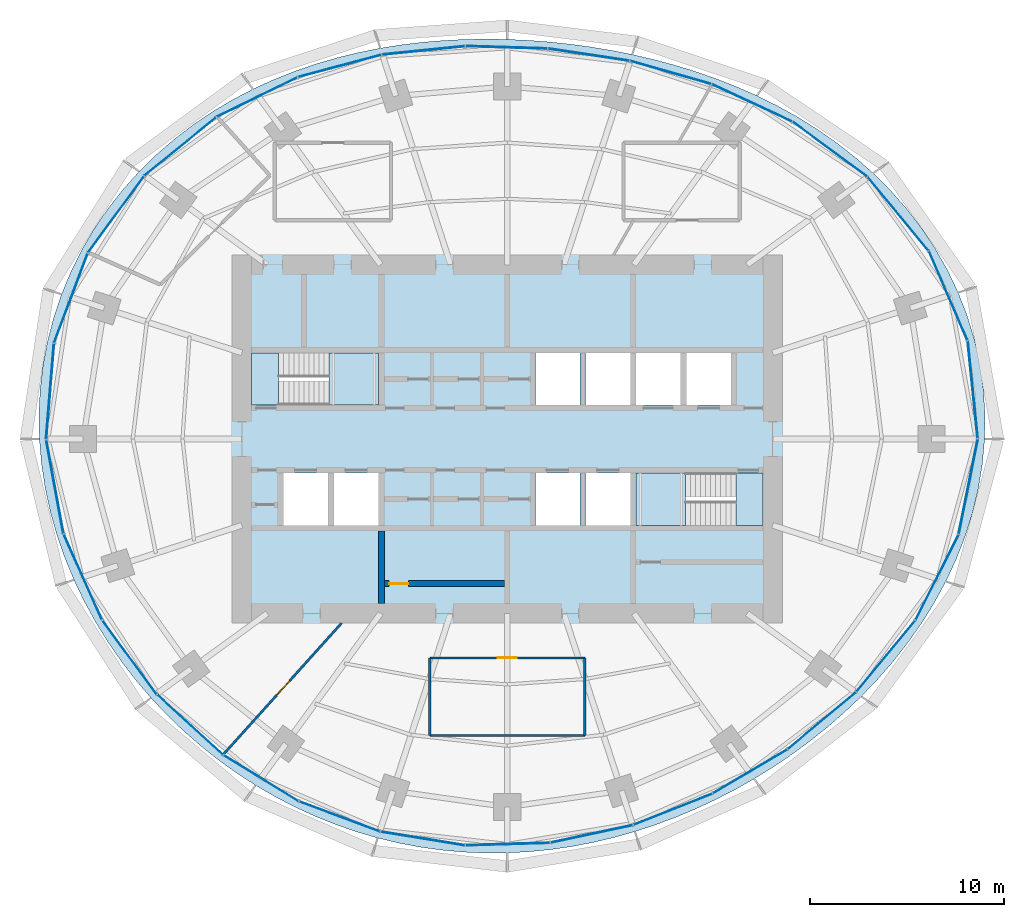
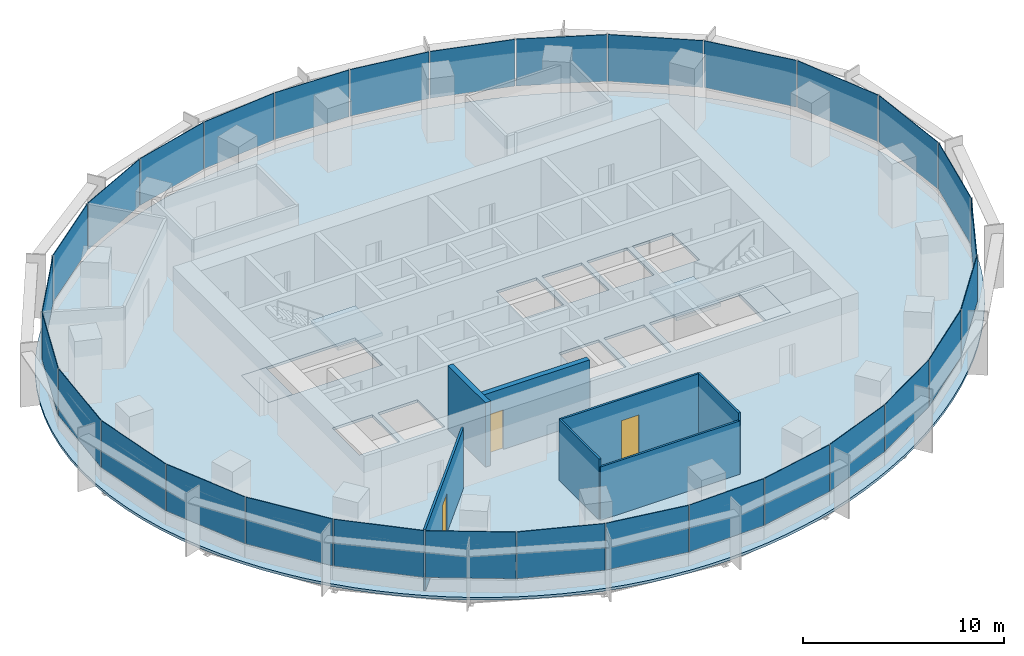
# One storey, part 9 of 14: 30 plates, 7 walls, 5 slabs, 3 doors, 3 openings, 8 elements without a shape of their own.
"""IFC4 building model written with IfcOpenShell, lengths in metres."""

from ifc_helpers import new_model, si_unit, direction, frame, frame_2d, origin, origin_2d, place, context, subcontext, project, spatial, polyline, rectangle, outline, extrude, material, layer, layer_set, type_object, element, fill, aggregate, save


model = new_model("IFC4")

# Units and contexts
model_context = context("Model", 3, precision=1e-05, world=origin(), true_north=direction((0.0, 1.0)))
body_context = subcontext(model_context, "Body", "Model", "MODEL_VIEW")
ifc_project = project(units=[si_unit("LENGTHUNIT", "METRE"), si_unit("AREAUNIT", "SQUARE_METRE"), si_unit("VOLUMEUNIT", "CUBIC_METRE"), si_unit("PLANEANGLEUNIT", "RADIAN"), si_unit("MASSUNIT", "GRAM", prefix="KILO")], contexts=[model_context])

# Site, building, storey
site_placement = place(None, origin())
site = spatial("IfcSite", under=ifc_project, at=site_placement, CompositionType="ELEMENT")
building_placement = place(site_placement, origin())
building = spatial("IfcBuilding", under=site, at=building_placement, Name="Marramba Exchange Tower", CompositionType="ELEMENT")
storey_placement = place(building_placement, frame((0.0, 0.0, 242.300048828125)))
storey = spatial("IfcBuildingStorey", under=building, at=storey_placement, Name="L59", CompositionType="ELEMENT", Elevation=242.300048828125)

# Slab
ifc_material_1 = material(Name="Concrete N40", Category="concrete")
ifc_layer_1 = layer(ifc_material_1, 0.159912109375)
ifc_layer_set_1 = layer_set([ifc_layer_1], Name="Composite floor slab 160")
slab_type_1 = type_object("IfcSlabType", Name="Composite floor slab 160", PredefinedType="FLOOR", material=ifc_layer_set_1)
slab_1_placement = place(storey_placement, frame((0.0, 0.0, -0.16015625)))
element("IfcSlab", 1, at=slab_1_placement, inside=storey, type_object=slab_type_1, Name="Floor slab L59", PredefinedType="FLOOR", context=body_context, shape_type="SweptSolid", body=[
    extrude(outline(polyline([(24.64404296875, 0.0), (24.661376953125, 1.29248046875), (24.580078125, 2.58349609375), (24.399658203125, 3.864501953125), (24.12109375, 5.127197265625), (23.7470703125, 6.363037109375), (23.281494140625, 7.564697265625), (22.72900390625, 8.724853515625), (22.095947265625, 9.837646484375), (21.388427734375, 10.89794921875), (20.614013671875, 11.901611328125), (19.780029296875, 12.845458984375), (18.894287109375, 13.7275390625), (17.964111328125, 14.547119140625), (16.996826171875, 15.303955078125), (15.9990234375, 15.9990234375), (14.977294921875, 16.634033203125), (13.936767578125, 17.21044921875), (12.882568359375, 17.7314453125), (11.819091796875, 18.19970703125), (10.749267578125, 18.6181640625), (9.67578125, 18.989990234375), (8.60107421875, 19.318115234375), (7.52587890625, 19.60546875), (6.451171875, 19.8544921875), (5.377197265625, 20.067626953125), (4.303466796875, 20.246337890625), (3.229736328125, 20.39208984375), (2.1552734375, 20.50537109375), (1.078857421875, 20.5869140625), (0.0, 20.63623046875), (-1.082275390625, 20.652587890625), (-2.168701171875, 20.634765625), (-3.259765625, 20.580810546875), (-4.35498046875, 20.4892578125), (-5.45458984375, 20.35693359375), (-6.557373046875, 20.181884765625), (-7.662353515625, 19.9609375), (-8.76708984375, 19.691162109375), (-9.869384765625, 19.369873046875), (-10.96630859375, 18.994384765625), (-12.05419921875, 18.561767578125), (-13.128662109375, 18.070068359375), (-14.185546875, 17.517578125), (-15.218994140625, 16.902587890625), (-16.22412109375, 16.22412109375), (-17.195068359375, 15.482421875), (-18.12548828125, 14.677734375), (-19.009521484375, 13.811279296875), (-19.841064453125, 12.885009765625), (-20.614013671875, 11.901611328125), (-21.32275390625, 10.864501953125), (-21.9619140625, 9.778076171875), (-22.52685546875, 8.647216796875), (-23.01318359375, 7.477294921875), (-23.417724609375, 6.274658203125), (-23.73779296875, 5.045654296875), (-23.971923828125, 3.796875), (-24.119384765625, 2.53515625), (-24.180419921875, 1.267333984375), (-24.156005859375, 0.0), (-24.04833984375, -1.26025390625), (-23.860107421875, -2.5078125), (-23.594482421875, -3.737060546875), (-23.25537109375, -4.943115234375), (-22.846923828125, -6.121826171875), (-22.373291015625, -7.26953125), (-21.8388671875, -8.38330078125), (-21.247802734375, -9.460205078125), (-20.604248046875, -10.49853515625), (-19.912109375, -11.496337890625), (-19.174560546875, -12.4521484375), (-18.395263671875, -13.364990234375), (-17.5771484375, -14.233642578125), (-16.72265625, -15.05712890625), (-15.834228515625, -15.834228515625), (-14.914794921875, -16.564453125), (-13.966064453125, -17.24658203125), (-12.990234375, -17.879638671875), (-11.98974609375, -18.46240234375), (-10.96630859375, -18.994384765625), (-9.922607421875, -19.47412109375), (-8.860595703125, -19.901123046875), (-7.78271484375, -20.2744140625), (-6.691162109375, -20.593505859375), (-5.5888671875, -20.858154296875), (-4.478271484375, -21.068115234375), (-3.361328125, -21.22314453125), (-2.2412109375, -21.32373046875), (-1.119873046875, -21.370361328125), (0.0, -21.36376953125), (1.116455078125, -21.3046875), (2.2275390625, -21.194580078125), (3.33154296875, -21.0341796875), (4.426513671875, -20.8251953125), (5.511474609375, -20.56884765625), (6.5849609375, -20.266357421875), (7.646240234375, -19.919189453125), (8.694580078125, -19.528076171875), (9.72900390625, -19.09423828125), (10.749267578125, -18.6181640625), (11.75439453125, -18.100341796875), (12.744140625, -17.541015625), (13.71728515625, -16.939697265625), (14.6728515625, -16.2958984375), (15.609130859375, -15.609130859375), (16.5244140625, -14.878662109375), (17.415771484375, -14.10302734375), (18.280029296875, -13.28125), (19.11376953125, -12.41259765625), (19.912109375, -11.496337890625), (20.669921875, -10.531982421875), (21.3818359375, -9.519775390625), (22.041259765625, -8.4609375), (22.641845703125, -7.356689453125), (23.176513671875, -6.210205078125), (23.638671875, -5.024658203125), (24.022216796875, -3.8046875), (24.32080078125, -2.55615234375), (24.529541015625, -1.28564453125), (24.64404296875, 0.0)]), holes=[polyline([(1.449951171875, 1.75), (3.75, 1.75), (3.75, 4.449951171875), (1.449951171875, 4.449951171875), (1.449951171875, 1.75)]), polyline([(4.050048828125, 1.75), (6.35009765625, 1.75), (6.35009765625, 4.449951171875), (4.050048828125, 4.449951171875), (4.050048828125, 1.75)]), polyline([(1.449951171875, -4.449951171875), (3.75, -4.449951171875), (3.75, -1.75), (1.449951171875, -1.75), (1.449951171875, -4.449951171875)]), polyline([(4.050048828125, -4.449951171875), (6.35009765625, -4.449951171875), (6.35009765625, -1.75), (4.050048828125, -1.75), (4.050048828125, -4.449951171875)]), polyline([(6.64990234375, 1.75), (8.949951171875, 1.75), (8.949951171875, 4.449951171875), (6.64990234375, 4.449951171875), (6.64990234375, 1.75)]), polyline([(-8.949951171875, -4.449951171875), (-6.64990234375, -4.449951171875), (-6.64990234375, -1.75), (-8.949951171875, -1.75), (-8.949951171875, -4.449951171875)]), polyline([(-11.550048828125, -4.449951171875), (-9.25, -4.449951171875), (-9.25, -1.75), (-11.550048828125, -1.75), (-11.550048828125, -4.449951171875)]), polyline([(9.25, 1.75), (11.550048828125, 1.75), (11.550048828125, 4.449951171875), (9.25, 4.449951171875), (9.25, 1.75)]), polyline([(-13.199951171875, 1.75), (-6.64990234375, 1.75), (-6.64990234375, 4.449951171875), (-13.199951171875, 4.449951171875), (-13.199951171875, 1.75)]), polyline([(6.64990234375, -4.449951171875), (13.199951171875, -4.449951171875), (13.199951171875, -1.75), (6.64990234375, -1.75), (6.64990234375, -4.449951171875)])]), origin(), (0.0, 0.0, 1.0), 0.16015625),
])

# Curtain wall, plates
ifc_material_2 = material(Name="Aluminium framing, bronze anodised", Category="aluminium")
curtain_wall_type = type_object("IfcCurtainWallType", Name="Office ribbon curtain wall", PredefinedType="USERDEFINED", material=ifc_material_2)
curtain_wall_1_placement = place(storey_placement, origin())
curtain_wall_1 = element("IfcCurtainWall", 2, at=curtain_wall_1_placement, inside=storey, type_object=curtain_wall_type, Name="Curtain wall CW4 L59 F01-F05", ObjectType="RIBBON CURTAIN WALL", PredefinedType="USERDEFINED")
ifc_material_3 = material(Name="Laminated double glazed unit 10.76 + 16 + 10.76, bronze tinted", Category="glass")
ifc_layer_2 = layer(ifc_material_3, 0.03759765625)
ifc_layer_set_2 = layer_set([ifc_layer_2], Name="Office ribbon curtain wall panel")
plate_type = type_object("IfcPlateType", Name="Office ribbon curtain wall panel", PredefinedType="CURTAIN_PANEL", material=ifc_layer_set_2)
plate_1_placement = place(storey_placement, frame((24.033203125, 2.556884765625, 0.85986328125), z_axis=(0.0, 0.0, 1.0), x_axis=(-0.101422472607, 0.994843446001, 0.0)))
plate_1 = element("IfcPlate", 3, at=plate_1_placement, type_object=plate_type, Name="CW4 vision panel", PredefinedType="CURTAIN_PANEL", context=body_context, shape_type="SweptSolid", body=[
    extrude(rectangle(XDim=5.0205078125, YDim=0.03759765625, at=origin_2d()), origin(), (0.0, 0.0, 1.0), 2.840087890625),
])
plate_2_placement = place(storey_placement, frame((22.765625, 7.40234375, 0.85986328125), z_axis=(0.0, 0.0, 1.0), x_axis=(-0.396193346946, 0.918167104527, 0.0)))
plate_2 = element("IfcPlate", 4, at=plate_2_placement, type_object=plate_type, Name="CW4 vision panel", PredefinedType="CURTAIN_PANEL", context=body_context, shape_type="SweptSolid", body=[
    extrude(rectangle(XDim=4.99462890625, YDim=0.03759765625, at=origin_2d()), origin(), (0.0, 0.0, 1.0), 2.840087890625),
])
plate_3_placement = place(storey_placement, frame((20.174560546875, 11.631591796875, 0.85986328125), z_axis=(0.0, 0.0, 1.0), x_axis=(-0.637350227411, 0.770574258342, 0.0)))
plate_3 = element("IfcPlate", 5, at=plate_3_placement, type_object=plate_type, Name="CW4 vision panel", PredefinedType="CURTAIN_PANEL", context=body_context, shape_type="SweptSolid", body=[
    extrude(rectangle(XDim=4.90576171875, YDim=0.03759765625, at=origin_2d()), origin(), (0.0, 0.0, 1.0), 2.840087890625),
])
plate_4_placement = place(storey_placement, frame((16.653076171875, 14.965576171875, 0.85986328125), z_axis=(0.0, 0.0, 1.0), x_axis=(-0.804877259395, 0.593441317494, 0.0)))
plate_4 = element("IfcPlate", 6, at=plate_4_placement, type_object=plate_type, Name="CW4 vision panel", PredefinedType="CURTAIN_PANEL", context=body_context, shape_type="SweptSolid", body=[
    extrude(rectangle(XDim=4.745849609375, YDim=0.03759765625, at=origin_2d()), origin(), (0.0, 0.0, 1.0), 2.840087890625),
])
plate_5_placement = place(storey_placement, frame((12.63134765625, 17.357177734375, 0.85986328125), z_axis=(0.0, 0.0, 1.0), x_axis=(-0.906533907301, 0.422133006189, 0.0)))
plate_5 = element("IfcPlate", 7, at=plate_5_placement, type_object=plate_type, Name="CW4 vision panel", PredefinedType="CURTAIN_PANEL", context=body_context, shape_type="SweptSolid", body=[
    extrude(rectangle(XDim=4.53857421875, YDim=0.03759765625, at=origin_2d()), origin(), (0.0, 0.0, 1.0), 2.840087890625),
])
aggregate(curtain_wall_1, [plate_1, plate_2, plate_3, plate_4, plate_5])

curtain_wall_2_placement = place(storey_placement, origin())
curtain_wall_2 = element("IfcCurtainWall", 8, at=curtain_wall_2_placement, inside=storey, type_object=curtain_wall_type, Name="Curtain wall CW4 L59 F06-F10", ObjectType="RIBBON CURTAIN WALL", PredefinedType="USERDEFINED")
plate_6_placement = place(storey_placement, frame((8.4296875, 18.926513671875, 0.85986328125), z_axis=(0.0, 0.0, 1.0), x_axis=(-0.961658954195, 0.274248164656, 0.0)))
plate_6 = element("IfcPlate", 9, at=plate_6_placement, type_object=plate_type, Name="CW4 vision panel", PredefinedType="CURTAIN_PANEL", context=body_context, shape_type="SweptSolid", body=[
    extrude(rectangle(XDim=4.33984375, YDim=0.03759765625, at=origin_2d()), origin(), (0.0, 0.0, 1.0), 2.840087890625),
])
plate_7_placement = place(storey_placement, frame((4.201171875, 19.843994140625, 0.85986328125), z_axis=(0.0, 0.0, 1.0), x_axis=(-0.988868065698, 0.148794988635, 0.0)))
plate_7 = element("IfcPlate", 10, at=plate_7_placement, type_object=plate_type, Name="CW4 vision panel", PredefinedType="CURTAIN_PANEL", context=body_context, shape_type="SweptSolid", body=[
    extrude(rectangle(XDim=4.2119140625, YDim=0.03759765625, at=origin_2d()), origin(), (0.0, 0.0, 1.0), 2.840087890625),
])
plate_8_placement = place(storey_placement, frame((-0.036865234375, 20.222900390625, 0.85986328125), z_axis=(0.0, 0.0, 1.0), x_axis=(-0.999538000143, 0.03039385249, 0.0)))
plate_8 = element("IfcPlate", 11, at=plate_8_placement, type_object=plate_type, Name="CW4 vision panel", PredefinedType="CURTAIN_PANEL", context=body_context, shape_type="SweptSolid", body=[
    extrude(rectangle(XDim=4.19287109375, YDim=0.03759765625, at=origin_2d()), origin(), (0.0, 0.0, 1.0), 2.840087890625),
])
plate_9_placement = place(storey_placement, frame((-4.320556640625, 20.064697265625, 0.85986328125), z_axis=(0.0, 0.0, 1.0), x_axis=(-0.994900357369, -0.100862673507, 0.0)))
plate_9 = element("IfcPlate", 12, at=plate_9_placement, type_object=plate_type, Name="CW4 vision panel", PredefinedType="CURTAIN_PANEL", context=body_context, shape_type="SweptSolid", body=[
    extrude(rectangle(XDim=4.279296875, YDim=0.03759765625, at=origin_2d()), origin(), (0.0, 0.0, 1.0), 2.840087890625),
])
plate_10_placement = place(storey_placement, frame((-8.6494140625, 19.262451171875, 0.85986328125), z_axis=(0.0, 0.0, 1.0), x_axis=(-0.966240653155, -0.257641223778, 0.0)))
plate_10 = element("IfcPlate", 13, at=plate_10_placement, type_object=plate_type, Name="CW4 vision panel", PredefinedType="CURTAIN_PANEL", context=body_context, shape_type="SweptSolid", body=[
    extrude(rectangle(XDim=4.433837890625, YDim=0.03759765625, at=origin_2d()), origin(), (0.0, 0.0, 1.0), 2.840087890625),
])
aggregate(curtain_wall_2, [plate_6, plate_7, plate_8, plate_9, plate_10])

curtain_wall_3_placement = place(storey_placement, origin())
curtain_wall_3 = element("IfcCurtainWall", 14, at=curtain_wall_3_placement, inside=storey, type_object=curtain_wall_type, Name="Curtain wall CW4 L59 F11-F15", ObjectType="RIBBON CURTAIN WALL", PredefinedType="USERDEFINED")
plate_11_placement = place(storey_placement, frame((-12.9150390625, 17.653564453125, 0.85986328125), z_axis=(0.0, 0.0, 1.0), x_axis=(-0.898500518805, -0.438972456661, 0.0)))
plate_11 = element("IfcPlate", 15, at=plate_11_placement, type_object=plate_type, Name="CW4 vision panel", PredefinedType="CURTAIN_PANEL", context=body_context, shape_type="SweptSolid", body=[
    extrude(rectangle(XDim=4.607177734375, YDim=0.03759765625, at=origin_2d()), origin(), (0.0, 0.0, 1.0), 2.840087890625),
])
plate_12_placement = place(storey_placement, frame((-16.87890625, 15.10498046875, 0.85986328125), z_axis=(0.0, 0.0, 1.0), x_axis=(-0.776432169145, -0.630200830464, 0.0)))
plate_12 = element("IfcPlate", 16, at=plate_12_placement, type_object=plate_type, Name="CW4 vision panel", PredefinedType="CURTAIN_PANEL", context=body_context, shape_type="SweptSolid", body=[
    extrude(rectangle(XDim=4.7587890625, YDim=0.03759765625, at=origin_2d()), origin(), (0.0, 0.0, 1.0), 2.840087890625),
])
plate_13_placement = place(storey_placement, frame((-20.2021484375, 11.596435546875, 0.85986328125), z_axis=(0.0, 0.0, 1.0), x_axis=(-0.591962922138, -0.805965197024, 0.0)))
plate_13 = element("IfcPlate", 17, at=plate_13_placement, type_object=plate_type, Name="CW4 vision panel", PredefinedType="CURTAIN_PANEL", context=body_context, shape_type="SweptSolid", body=[
    extrude(rectangle(XDim=4.865478515625, YDim=0.03759765625, at=origin_2d()), origin(), (0.0, 0.0, 1.0), 2.840087890625),
])
plate_14_placement = place(storey_placement, frame((-22.529296875, 7.276123046875, 0.85986328125), z_axis=(0.0, 0.0, 1.0), x_axis=(-0.351951515885, -0.936018231909, 0.0)))
plate_14 = element("IfcPlate", 18, at=plate_14_placement, type_object=plate_type, Name="CW4 vision panel", PredefinedType="CURTAIN_PANEL", context=body_context, shape_type="SweptSolid", body=[
    extrude(rectangle(XDim=4.921630859375, YDim=0.03759765625, at=origin_2d()), origin(), (0.0, 0.0, 1.0), 2.840087890625),
])
plate_15_placement = place(storey_placement, frame((-23.603271484375, 2.45654296875, 0.85986328125), z_axis=(0.0, 0.0, 1.0), x_axis=(-0.082280890264, -0.996609178714, 0.0)))
plate_15 = element("IfcPlate", 19, at=plate_15_placement, type_object=plate_type, Name="CW4 vision panel", PredefinedType="CURTAIN_PANEL", context=body_context, shape_type="SweptSolid", body=[
    extrude(rectangle(XDim=4.9296875, YDim=0.03759765625, at=origin_2d()), origin(), (0.0, 0.0, 1.0), 2.840087890625),
])
aggregate(curtain_wall_3, [plate_11, plate_12, plate_13, plate_14, plate_15])

curtain_wall_4_placement = place(storey_placement, origin())
curtain_wall_4 = element("IfcCurtainWall", 20, at=curtain_wall_4_placement, inside=storey, type_object=curtain_wall_type, Name="Curtain wall CW4 L59 F16-F20", ObjectType="RIBBON CURTAIN WALL", PredefinedType="USERDEFINED")
plate_16_placement = place(storey_placement, frame((-23.354248046875, -2.464599609375, 0.85986328125), z_axis=(0.0, 0.0, 1.0), x_axis=(0.180327438996, -0.983606636184, 0.0)))
plate_16 = element("IfcPlate", 21, at=plate_16_placement, type_object=plate_type, Name="CW4 vision panel", PredefinedType="CURTAIN_PANEL", context=body_context, shape_type="SweptSolid", body=[
    extrude(rectangle(XDim=4.8916015625, YDim=0.03759765625, at=origin_2d()), origin(), (0.0, 0.0, 1.0), 2.840087890625),
])
plate_17_placement = place(storey_placement, frame((-21.908447265625, -7.12158203125, 0.85986328125), z_axis=(0.0, 0.0, 1.0), x_axis=(0.407557580942, -0.913179510401, 0.0)))
plate_17 = element("IfcPlate", 22, at=plate_17_placement, type_object=plate_type, Name="CW4 vision panel", PredefinedType="CURTAIN_PANEL", context=body_context, shape_type="SweptSolid", body=[
    extrude(rectangle(XDim=4.810302734375, YDim=0.03759765625, at=origin_2d()), origin(), (0.0, 0.0, 1.0), 2.840087890625),
])
plate_18_placement = place(storey_placement, frame((-19.50244140625, -11.2626953125, 0.85986328125), z_axis=(0.0, 0.0, 1.0), x_axis=(0.591223103363, -0.806508054547, 0.0)))
plate_18 = element("IfcPlate", 23, at=plate_18_placement, type_object=plate_type, Name="CW4 vision panel", PredefinedType="CURTAIN_PANEL", context=body_context, shape_type="SweptSolid", body=[
    extrude(rectangle(XDim=4.703125, YDim=0.03759765625, at=origin_2d()), origin(), (0.0, 0.0, 1.0), 2.840087890625),
])
plate_19_placement = place(storey_placement, frame((-16.374267578125, -14.752197265625, 0.85986328125), z_axis=(0.0, 0.0, 1.0), x_axis=(0.737203264245, -0.67567103474, 0.0)))
plate_19 = element("IfcPlate", 24, at=plate_19_placement, type_object=plate_type, Name="CW4 vision panel", PredefinedType="CURTAIN_PANEL", context=body_context, shape_type="SweptSolid", body=[
    extrude(rectangle(XDim=4.594970703125, YDim=0.03759765625, at=origin_2d()), origin(), (0.0, 0.0, 1.0), 2.840087890625),
])
plate_20_placement = place(storey_placement, frame((-12.71044921875, -17.513427734375, 0.85986328125), z_axis=(0.0, 0.0, 1.0), x_axis=(0.85230101176, -0.52305160869, 0.0)))
plate_20 = element("IfcPlate", 25, at=plate_20_placement, type_object=plate_type, Name="CW4 vision panel", PredefinedType="CURTAIN_PANEL", context=body_context, shape_type="SweptSolid", body=[
    extrude(rectangle(XDim=4.503173828125, YDim=0.03759765625, at=origin_2d()), origin(), (0.0, 0.0, 1.0), 2.840087890625),
])
aggregate(curtain_wall_4, [plate_16, plate_17, plate_18, plate_19, plate_20])

curtain_wall_5_placement = place(storey_placement, origin())
curtain_wall_5 = element("IfcCurtainWall", 26, at=curtain_wall_5_placement, inside=storey, type_object=curtain_wall_type, Name="Curtain wall CW4 L59 F21-F25", ObjectType="RIBBON CURTAIN WALL", PredefinedType="USERDEFINED")
plate_21_placement = place(storey_placement, frame((-8.6591796875, -19.486572265625, 0.85986328125), z_axis=(0.0, 0.0, 1.0), x_axis=(0.936951583142, -0.349459197687, 0.0)))
plate_21 = element("IfcPlate", 27, at=plate_21_placement, type_object=plate_type, Name="CW4 vision panel", PredefinedType="CURTAIN_PANEL", context=body_context, shape_type="SweptSolid", body=[
    extrude(rectangle(XDim=4.431396484375, YDim=0.03759765625, at=origin_2d()), origin(), (0.0, 0.0, 1.0), 2.840087890625),
])
plate_22_placement = place(storey_placement, frame((-4.3642578125, -20.623046875, 0.85986328125), z_axis=(0.0, 0.0, 1.0), x_axis=(0.986930623159, -0.161145726194, 0.0)))
plate_22 = element("IfcPlate", 28, at=plate_22_placement, type_object=plate_type, Name="CW4 vision panel", PredefinedType="CURTAIN_PANEL", context=body_context, shape_type="SweptSolid", body=[
    extrude(rectangle(XDim=4.37646484375, YDim=0.03759765625, at=origin_2d()), origin(), (0.0, 0.0, 1.0), 2.840087890625),
])
plate_23_placement = place(storey_placement, frame((0.023193359375, -20.91015625, 0.85986328125), z_axis=(0.0, 0.0, 1.0), x_axis=(0.99956791915, 0.029393451762, 0.0)))
plate_23 = element("IfcPlate", 29, at=plate_23_placement, type_object=plate_type, Name="CW4 vision panel", PredefinedType="CURTAIN_PANEL", context=body_context, shape_type="SweptSolid", body=[
    extrude(rectangle(XDim=4.337646484375, YDim=0.03759765625, at=origin_2d()), origin(), (0.0, 0.0, 1.0), 2.840087890625),
])
plate_24_placement = place(storey_placement, frame((4.36328125, -20.3837890625, 0.85986328125), z_axis=(0.0, 0.0, 1.0), x_axis=(0.978058069607, 0.208332456608, 0.0)))
plate_24 = element("IfcPlate", 30, at=plate_24_placement, type_object=plate_type, Name="CW4 vision panel", PredefinedType="CURTAIN_PANEL", context=body_context, shape_type="SweptSolid", body=[
    extrude(rectangle(XDim=4.32177734375, YDim=0.03759765625, at=origin_2d()), origin(), (0.0, 0.0, 1.0), 2.840087890625),
])
plate_25_placement = place(storey_placement, frame((8.553466796875, -19.11328125, 0.85986328125), z_axis=(0.0, 0.0, 1.0), x_axis=(0.93007301435, 0.367374724195, 0.0)))
plate_25 = element("IfcPlate", 31, at=plate_25_placement, type_object=plate_type, Name="CW4 vision panel", PredefinedType="CURTAIN_PANEL", context=body_context, shape_type="SweptSolid", body=[
    extrude(rectangle(XDim=4.345458984375, YDim=0.03759765625, at=origin_2d()), origin(), (0.0, 0.0, 1.0), 2.840087890625),
])
aggregate(curtain_wall_5, [plate_21, plate_22, plate_23, plate_24, plate_25])

curtain_wall_6_placement = place(storey_placement, origin())
curtain_wall_6 = element("IfcCurtainWall", 32, at=curtain_wall_6_placement, inside=storey, type_object=curtain_wall_type, Name="Curtain wall CW4 L59 F26-F30", ObjectType="RIBBON CURTAIN WALL", PredefinedType="USERDEFINED")
plate_26_placement = place(storey_placement, frame((12.5322265625, -17.16015625, 0.85986328125), z_axis=(0.0, 0.0, 1.0), x_axis=(0.861350833897, 0.508010571686, 0.0)))
plate_26 = element("IfcPlate", 33, at=plate_26_placement, type_object=plate_type, Name="CW4 vision panel", PredefinedType="CURTAIN_PANEL", context=body_context, shape_type="SweptSolid", body=[
    extrude(rectangle(XDim=4.426513671875, YDim=0.03759765625, at=origin_2d()), origin(), (0.0, 0.0, 1.0), 2.840087890625),
])
plate_27_placement = place(storey_placement, frame((16.240966796875, -14.536376953125, 0.85986328125), z_axis=(0.0, 0.0, 1.0), x_axis=(0.768736798421, 0.639565270127, 0.0)))
plate_27 = element("IfcPlate", 34, at=plate_27_placement, type_object=plate_type, Name="CW4 vision panel", PredefinedType="CURTAIN_PANEL", context=body_context, shape_type="SweptSolid", body=[
    extrude(rectangle(XDim=4.568603515625, YDim=0.03759765625, at=origin_2d()), origin(), (0.0, 0.0, 1.0), 2.840087890625),
])
plate_28_placement = place(storey_placement, frame((19.548583984375, -11.203369140625, 0.85986328125), z_axis=(0.0, 0.0, 1.0), x_axis=(0.63814998673, 0.769912069289, 0.0)))
plate_28 = element("IfcPlate", 35, at=plate_28_placement, type_object=plate_type, Name="CW4 vision panel", PredefinedType="CURTAIN_PANEL", context=body_context, shape_type="SweptSolid", body=[
    extrude(rectangle(XDim=4.7431640625, YDim=0.03759765625, at=origin_2d()), origin(), (0.0, 0.0, 1.0), 2.840087890625),
])
plate_29_placement = place(storey_placement, frame((22.19287109375, -7.137939453125, 0.85986328125), z_axis=(0.0, 0.0, 1.0), x_axis=(0.450673083956, 0.892689067591, 0.0)))
plate_29 = element("IfcPlate", 36, at=plate_29_placement, type_object=plate_type, Name="CW4 vision panel", PredefinedType="CURTAIN_PANEL", context=body_context, shape_type="SweptSolid", body=[
    extrude(rectangle(XDim=4.897705078125, YDim=0.03759765625, at=origin_2d()), origin(), (0.0, 0.0, 1.0), 2.840087890625),
])
plate_30_placement = place(storey_placement, frame((23.801025390625, -2.446533203125, 0.85986328125), z_axis=(0.0, 0.0, 1.0), x_axis=(0.197495405316, 0.980303812539, 0.0)))
plate_30 = element("IfcPlate", 37, at=plate_30_placement, type_object=plate_type, Name="CW4 vision panel", PredefinedType="CURTAIN_PANEL", context=body_context, shape_type="SweptSolid", body=[
    extrude(rectangle(XDim=4.9912109375, YDim=0.03759765625, at=origin_2d()), origin(), (0.0, 0.0, 1.0), 2.840087890625),
])
aggregate(curtain_wall_6, [plate_26, plate_27, plate_28, plate_29, plate_30])

# Stair, slabs
ifc_material_4 = material(Name="Concrete N40 (40 MPa)", Category="concrete")
stair_type_1 = type_object("IfcStairType", Name="Exit stair ST1 3900 x 1250", PredefinedType="HALF_TURN_STAIR", material=ifc_material_4)
stair_1_placement = place(storey_placement, origin())
stair_1 = element("IfcStair", 38, at=stair_1_placement, inside=storey, type_object=stair_type_1, Name="Exit stair ST1 L59", PredefinedType="HALF_TURN_STAIR")
ifc_layer_3 = layer(ifc_material_4, 0.199951171875)
ifc_layer_set_3 = layer_set([ifc_layer_3], Name="Stair landing 200")
slab_type_2 = type_object("IfcSlabType", Name="Stair landing 200", PredefinedType="LANDING", material=ifc_layer_set_3)
slab_2_placement = place(storey_placement, frame((0.0, 0.0, -0.199951171875)))
slab_2 = element("IfcSlab", 39, at=slab_2_placement, type_object=slab_type_2, Name="ST1 landing 1", PredefinedType="LANDING", context=body_context, shape_type="SweptSolid", body=[
    extrude(outline(polyline([(-13.199951171875, 1.75), (-11.800048828125, 1.75), (-11.800048828125, 4.449951171875), (-13.199951171875, 4.449951171875), (-13.199951171875, 1.75)])), origin(), (0.0, 0.0, 1.0), 0.199951171875),
])
slab_3_placement = place(storey_placement, frame((0.0, 0.0, 1.75)))
slab_3 = element("IfcSlab", 40, at=slab_3_placement, type_object=slab_type_2, Name="ST1 landing 2", PredefinedType="LANDING", context=body_context, shape_type="SweptSolid", body=[
    extrude(outline(polyline([(-9.199951171875, 1.75), (-6.64990234375, 1.75), (-6.64990234375, 4.449951171875), (-9.199951171875, 4.449951171875), (-9.199951171875, 1.75)])), origin(), (0.0, 0.0, 1.0), 0.199951171875),
])
aggregate(stair_1, [slab_2, slab_3])

stair_type_2 = type_object("IfcStairType", Name="Exit stair ST2 3900 x 1250", PredefinedType="HALF_TURN_STAIR", material=ifc_material_4)
stair_2_placement = place(storey_placement, origin())
stair_2 = element("IfcStair", 41, at=stair_2_placement, inside=storey, type_object=stair_type_2, Name="Exit stair ST2 L59", PredefinedType="HALF_TURN_STAIR")
slab_4_placement = place(storey_placement, frame((0.0, 0.0, -0.199951171875)))
slab_4 = element("IfcSlab", 42, at=slab_4_placement, type_object=slab_type_2, Name="ST2 landing 1", PredefinedType="LANDING", context=body_context, shape_type="SweptSolid", body=[
    extrude(outline(polyline([(11.800048828125, -4.449951171875), (13.199951171875, -4.449951171875), (13.199951171875, -1.75), (11.800048828125, -1.75), (11.800048828125, -4.449951171875)])), origin(), (0.0, 0.0, 1.0), 0.199951171875),
])
slab_5_placement = place(storey_placement, frame((0.0, 0.0, 1.75)))
slab_5 = element("IfcSlab", 43, at=slab_5_placement, type_object=slab_type_2, Name="ST2 landing 2", PredefinedType="LANDING", context=body_context, shape_type="SweptSolid", body=[
    extrude(outline(polyline([(6.64990234375, -4.449951171875), (9.199951171875, -4.449951171875), (9.199951171875, -1.75), (6.64990234375, -1.75), (6.64990234375, -4.449951171875)])), origin(), (0.0, 0.0, 1.0), 0.199951171875),
])
aggregate(stair_2, [slab_4, slab_5])

# Wall
ifc_material_5 = material(Name="Concrete N50", Category="concrete")
ifc_layer_4 = layer(ifc_material_5, 0.300048828125)
ifc_layer_set_4 = layer_set([ifc_layer_4], Name="Core wall 300")
wall_type_1 = type_object("IfcWallType", Name="Core wall 300", PredefinedType="SHEAR", material=ifc_layer_set_4)
wall_1_placement = place(storey_placement, frame((-6.5, -4.75, 0.0), z_axis=(0.0, 0.0, 1.0), x_axis=(0.0, -1.0, 0.0)))
element("IfcWall", 44, at=wall_1_placement, inside=storey, type_object=wall_type_1, Name="Core wall X0Sb L59", PredefinedType="SHEAR", context=body_context, shape_type="SweptSolid", body=[
    extrude(rectangle(XDim=3.75, YDim=0.300048828125, at=frame_2d((1.875, 0.0))), origin(), (0.0, 0.0, 1.0), 3.89990234375),
])

# Wall, opening, door
ifc_material_6 = material(Name="Plasterboard on steel studs", Category="steel")
ifc_layer_5 = layer(ifc_material_6, 0.1201171875)
ifc_layer_set_5 = layer_set([ifc_layer_5], Name="Partition 120")
wall_type_2 = type_object("IfcWallType", Name="Partition 120", PredefinedType="PARTITIONING", material=ifc_layer_set_5)
wall_2_placement = place(storey_placement, frame((-14.626953125, -16.2451171875, 0.0), z_axis=(0.0, 0.0, 1.0), x_axis=(0.669125214915, 0.74314967992, 0.0)))
wall_2 = element("IfcWall", 45, at=wall_2_placement, inside=storey, type_object=wall_type_2, Name="Partition L59 01", PredefinedType="PARTITIONING", context=body_context, shape_type="SweptSolid", body=[
    extrude(rectangle(XDim=9.076416015625, YDim=0.1201171875, at=frame_2d((4.5380859375, 0.0))), origin(), (0.0, 0.0, 1.0), 3.699951171875),
])
opening_1_placement = place(wall_2_placement, frame((4.06298828125, 0.0, 0.0)))
opening_1 = element("IfcOpeningElement", 46, at=opening_1_placement, cuts=wall_2, Name="Opening D9", PredefinedType="OPENING", context=body_context, shape_type="SweptSolid", body=[
    extrude(rectangle(XDim=1.0, YDim=2.39990234375, at=frame_2d((0.5, 1.199951171875))), frame((0.0, 0.070068359375, 0.0), z_axis=(0.0, -1.0, 0.0), x_axis=(1.0, 0.0, 0.0)), (0.0, 0.0, 1.0), 0.14013671875),
])
ifc_material_7 = material(Name="Timber door", Category="wood")
door_type = type_object("IfcDoorType", Name="Room door 1000x2400", OperationType="SINGLE_SWING_LEFT", PredefinedType="DOOR", material=ifc_material_7)
door_1_placement = place(opening_1_placement, origin())
door_1 = element("IfcDoor", 47, at=door_1_placement, inside=storey, type_object=door_type, Name="D9 Members' Lounge L59", OperationType="SINGLE_SWING_RIGHT", OverallHeight=2.39990234375, OverallWidth=1.0, PredefinedType="DOOR", context=body_context, shape_type="SweptSolid", body=[
    extrude(rectangle(XDim=1.0, YDim=2.39990234375, at=frame_2d((0.5, 1.199951171875))), frame((0.0, 0.02490234375, 0.0), z_axis=(0.0, -1.0, 0.0), x_axis=(1.0, 0.0, 0.0)), (0.0, 0.0, 1.0), 0.050048828125),
])
fill(opening_1, door_1)

# Wall
wall_3_placement = place(storey_placement, frame((-4.0, -15.300048828125, 0.0), z_axis=(0.0, 0.0, 1.0), x_axis=(0.0, 1.0, 0.0)))
element("IfcWall", 48, at=wall_3_placement, inside=storey, type_object=wall_type_2, Name="Partition L59 02", PredefinedType="PARTITIONING", context=body_context, shape_type="SweptSolid", body=[
    extrude(rectangle(XDim=4.0, YDim=0.1201171875, at=frame_2d((2.0, 0.0))), origin(), (0.0, 0.0, 1.0), 3.699951171875),
])

# Wall, opening, door
wall_4_placement = place(storey_placement, frame((-4.0, -11.300048828125, 0.0), z_axis=(0.0, 0.0, 1.0), x_axis=(1.0, 0.0, 0.0)))
wall_4 = element("IfcWall", 49, at=wall_4_placement, inside=storey, type_object=wall_type_2, Name="Partition L59 03", PredefinedType="PARTITIONING", context=body_context, shape_type="SweptSolid", body=[
    extrude(rectangle(XDim=8.0, YDim=0.1201171875, at=frame_2d((4.0, 0.0))), origin(), (0.0, 0.0, 1.0), 3.699951171875),
])
opening_2_placement = place(wall_4_placement, frame((3.5, 0.0, 0.0)))
opening_2 = element("IfcOpeningElement", 50, at=opening_2_placement, cuts=wall_4, Name="Opening D9", PredefinedType="OPENING", context=body_context, shape_type="SweptSolid", body=[
    extrude(rectangle(XDim=1.0, YDim=2.39990234375, at=frame_2d((0.5, 1.199951171875))), frame((0.0, 0.070068359375, 0.0), z_axis=(0.0, -1.0, 0.0), x_axis=(1.0, 0.0, 0.0)), (0.0, 0.0, 1.0), 0.14013671875),
])
door_2_placement = place(opening_2_placement, frame((1.0, 0.0, 0.0), z_axis=(0.0, 0.0, 1.0), x_axis=(-1.0, 0.0, 0.0)))
door_2 = element("IfcDoor", 51, at=door_2_placement, inside=storey, type_object=door_type, Name="D9 Pantry L59", OperationType="SINGLE_SWING_RIGHT", OverallHeight=2.39990234375, OverallWidth=1.0, PredefinedType="DOOR", context=body_context, shape_type="SweptSolid", body=[
    extrude(rectangle(XDim=1.0, YDim=2.39990234375, at=frame_2d((0.5, 1.199951171875))), frame((0.0, 0.025146484375, 0.0), z_axis=(0.0, -1.0, 0.0), x_axis=(1.0, 0.0, 0.0)), (0.0, 0.0, 1.0), 0.050048828125),
])
fill(opening_2, door_2)

# Walls
wall_5_placement = place(storey_placement, frame((4.0, -15.300048828125, 0.0), z_axis=(0.0, 0.0, 1.0), x_axis=(-1.0, 0.0, 0.0)))
element("IfcWall", 52, at=wall_5_placement, inside=storey, type_object=wall_type_2, Name="Partition L59 04", PredefinedType="PARTITIONING", context=body_context, shape_type="SweptSolid", body=[
    extrude(rectangle(XDim=8.0, YDim=0.1201171875, at=frame_2d((4.0, 0.0))), origin(), (0.0, 0.0, 1.0), 3.239990234375),
])
wall_6_placement = place(storey_placement, frame((4.0, -11.300048828125, 0.0), z_axis=(0.0, 0.0, 1.0), x_axis=(0.0, -1.0, 0.0)))
element("IfcWall", 53, at=wall_6_placement, inside=storey, type_object=wall_type_2, Name="Partition L59 05", PredefinedType="PARTITIONING", context=body_context, shape_type="SweptSolid", body=[
    extrude(rectangle(XDim=4.0, YDim=0.1201171875, at=frame_2d((2.0, 0.0))), origin(), (0.0, 0.0, 1.0), 3.699951171875),
])

# Wall, opening, door
ifc_material_8 = material(Name="Plasterboard on steel studs, insulated, unrated", Category="steel")
ifc_layer_6 = layer(ifc_material_8, 0.300048828125)
ifc_layer_set_6 = layer_set([ifc_layer_6], Name="Store partition 300")
wall_type_3 = type_object("IfcWallType", Name="Store partition 300", PredefinedType="PARTITIONING", material=ifc_layer_set_6)
wall_7_placement = place(storey_placement, frame((-6.35009765625, -7.4599609375, 0.0), z_axis=(0.0, 0.0, 1.0), x_axis=(1.0, 0.0, 0.0)))
wall_7 = element("IfcWall", 54, at=wall_7_placement, inside=storey, type_object=wall_type_3, Name="Store partition L59 store", PredefinedType="PARTITIONING", context=body_context, shape_type="SweptSolid", body=[
    extrude(rectangle(XDim=6.2001953125, YDim=0.300048828125, at=frame_2d((3.10009765625, 0.0))), origin(), (0.0, 0.0, 1.0), 3.699951171875),
])
opening_3_placement = place(wall_7_placement, frame((0.25, 0.0, 0.0)))
opening_3 = element("IfcOpeningElement", 55, at=opening_3_placement, cuts=wall_7, Name="Opening D9", PredefinedType="OPENING", context=body_context, shape_type="SweptSolid", body=[
    extrude(rectangle(XDim=1.0, YDim=2.39990234375, at=frame_2d((0.5, 1.199951171875))), frame((0.0, 0.159912109375, 0.0), z_axis=(0.0, -1.0, 0.0), x_axis=(1.0, 0.0, 0.0)), (0.0, 0.0, 1.0), 0.320068359375),
])
door_3_placement = place(opening_3_placement, frame((1.0, 0.0, 0.0), z_axis=(0.0, 0.0, 1.0), x_axis=(-1.0, 0.0, 0.0)))
door_3 = element("IfcDoor", 56, at=door_3_placement, inside=storey, type_object=door_type, Name="D9 stationery store L59", OperationType="SINGLE_SWING_RIGHT", OverallHeight=2.39990234375, OverallWidth=1.0, PredefinedType="DOOR", context=body_context, shape_type="SweptSolid", body=[
    extrude(rectangle(XDim=1.0, YDim=2.39990234375, at=frame_2d((0.5, 1.199951171875))), frame((0.0, 0.025146484375, 0.0), z_axis=(0.0, -1.0, 0.0), x_axis=(1.0, 0.0, 0.0)), (0.0, 0.0, 1.0), 0.050048828125),
])
fill(opening_3, door_3)

save(model, "model.ifc")
